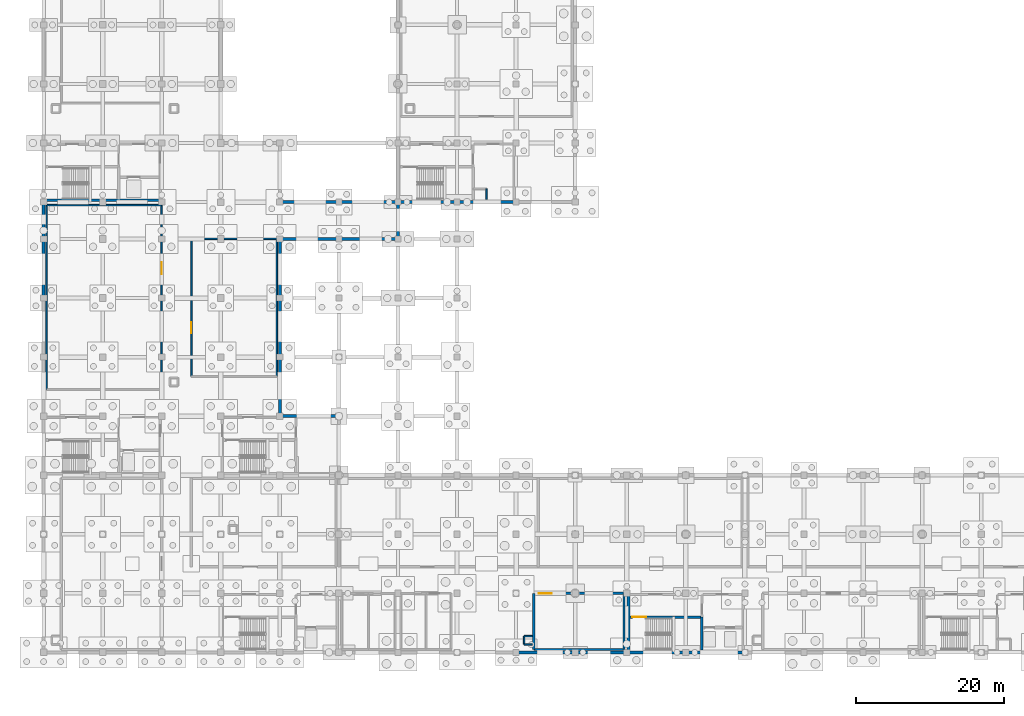
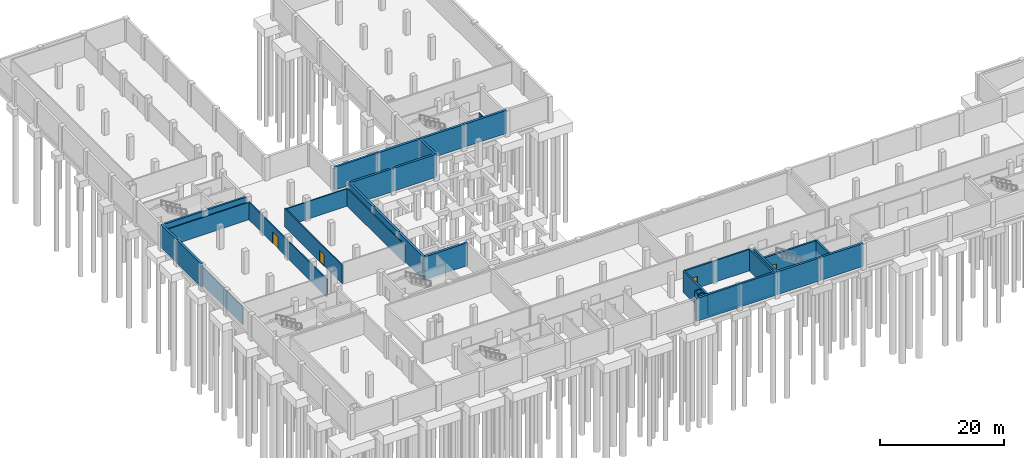
# One storey, part 14 of 26: 35 walls, 4 doors, 4 openings.
"""IFC4 building model written with IfcOpenShell, lengths in metres."""

import ifcopenshell
import ifcopenshell.guid

model = None  # the IFC model being written
_history = None  # IfcOwnerHistory: only IFC2X3 demands one
_inside = {}  # id of a spatial element -> (the spatial element, [elements in it])
_under = {}  # id of a project, library or spatial element -> (it, [spatial elements below it])
_declared = {}  # id of a project -> (the project, [libraries it declares])
_typed = {}  # id of a type object -> (the type object, [elements of that type])
_made_of = {}  # id of a material, layer set ... -> (it, [elements and type objects made of it])


def new_model(schema):
    """Start an empty IFC model of exactly this schema.

    Asked for "IFC4X3", IfcOpenShell would pick the latest addendum, in which some entities
    have other attributes; the version numbers below select the first issue.
    IFC2X3 requires an IfcOwnerHistory on every rooted entity: one is made here for all.
    """
    global model, _history
    if schema == "IFC4X3":
        model = ifcopenshell.file(schema_version=(4, 3, 0, 0))
    else:
        model = ifcopenshell.file(schema=schema)
    _inside.clear()
    _under.clear()
    _declared.clear()
    _typed.clear()
    _made_of.clear()
    _history = None
    if model.schema == "IFC2X3":
        org = make("IfcOrganization", Name="unknown")
        user = make(
            "IfcPersonAndOrganization",
            ThePerson=make("IfcPerson", FamilyName="unknown"),
            TheOrganization=org,
        )
        app = make(
            "IfcApplication",
            ApplicationDeveloper=org,
            Version="unknown",
            ApplicationFullName="unknown",
            ApplicationIdentifier="unknown",
        )
        _history = make(
            "IfcOwnerHistory",
            OwningUser=user,
            OwningApplication=app,
            ChangeAction="ADDED",
            CreationDate=0,
        )
    return model


def make(cls, **values):
    """One entity of the class cls with the attributes given. An attribute that is None is left unset."""
    return model.create_entity(
        cls, **{name: value for name, value in values.items() if value is not None}
    )


def rooted(cls, **values):
    """An entity with a GlobalId (a new one), such as an element, a storey or a relation."""
    return make(cls, GlobalId=ifcopenshell.guid.new(), OwnerHistory=_history, **values)


def si_unit(unit_type, name, prefix=None):
    """IfcSIUnit, for example si_unit("LENGTHUNIT", "METRE", prefix="MILLI")."""
    return make("IfcSIUnit", UnitType=unit_type, Prefix=prefix, Name=name)


def assignment(units):
    """IfcUnitAssignment: the units of a project."""
    return None if units is None else make("IfcUnitAssignment", Units=units)


def point(xyz):
    """IfcCartesianPoint."""
    return None if xyz is None else make("IfcCartesianPoint", Coordinates=xyz)


def direction(xyz):
    """IfcDirection."""
    return None if xyz is None else make("IfcDirection", DirectionRatios=xyz)


def frame(location, z_axis=None, x_axis=None):
    """IfcAxis2Placement3D, a coordinate frame: its origin and axes. An axis left out is left unset."""
    return make(
        "IfcAxis2Placement3D",
        Location=point(location),
        Axis=direction(z_axis),
        RefDirection=direction(x_axis),
    )


def frame_2d(location, x_axis=None):
    """IfcAxis2Placement2D, a coordinate frame in the plane: its origin and x axis."""
    return make(
        "IfcAxis2Placement2D", Location=point(location), RefDirection=direction(x_axis)
    )


def origin():
    """The frame at (0, 0, 0) with its axes left unset."""
    return frame((0.0, 0.0, 0.0))


def place(relative_to, where):
    """IfcLocalPlacement: puts the frame where relative to a parent placement (None: the world)."""
    return make(
        "IfcLocalPlacement", PlacementRelTo=relative_to, RelativePlacement=where
    )


def context(
    kind, dimensions, precision=None, world=None, true_north=None, identifier=None
):
    """IfcGeometricRepresentationContext, for example the 3D "Model" context."""
    return make(
        "IfcGeometricRepresentationContext",
        ContextIdentifier=identifier,
        ContextType=kind,
        CoordinateSpaceDimension=dimensions,
        Precision=precision,
        WorldCoordinateSystem=world,
        TrueNorth=true_north,
    )


def subcontext(parent, identifier, kind, view, scale=None):
    """IfcGeometricRepresentationSubContext, for example "Body" below "Model"."""
    return make(
        "IfcGeometricRepresentationSubContext",
        ContextIdentifier=identifier,
        ContextType=kind,
        ParentContext=parent,
        TargetScale=scale,
        TargetView=view,
    )


def project(units=None, contexts=None):
    """IfcProject with its units and contexts."""
    return rooted(
        "IfcProject",
        Name="project",
        RepresentationContexts=contexts,
        UnitsInContext=assignment(units),
    )


def spatial(cls, under=None, at=None, **own):
    """A site, building, storey or space (cls), placed at a placement, below another one or the project."""
    s = rooted(cls, ObjectPlacement=at, **own)
    if under is not None:
        _under.setdefault(under.id(), (under, []))[1].append(s)
    return s


def profile(cls, at=None, kind="AREA", **sizes):
    """A parametric profile (cls). Its sizes go by their IFC names, for example OverallWidth=200.0."""
    return make(cls, ProfileType=kind, Position=at, **sizes)


def rectangle(**sizes):
    """IfcRectangleProfileDef."""
    return profile("IfcRectangleProfileDef", **sizes)


def extrude(swept, where, along, depth):
    """IfcExtrudedAreaSolid: the profile swept, set in the frame where, extruded along a direction by depth."""
    return make(
        "IfcExtrudedAreaSolid",
        SweptArea=swept,
        Position=where,
        ExtrudedDirection=direction(along),
        Depth=depth,
    )


def shape(context_of_items, identifier, shape_type, items):
    """IfcShapeRepresentation: the items that make up one representation, for example the "Body"."""
    return make(
        "IfcShapeRepresentation",
        ContextOfItems=context_of_items,
        RepresentationIdentifier=identifier,
        RepresentationType=shape_type,
        Items=items,
    )


def material(Name=None, Category=None):
    """IfcMaterial."""
    return make("IfcMaterial", Name=Name, Category=Category)


def layer(
    of_material, thickness, ventilated=None, Name=None, Category=None, Priority=None
):
    """IfcMaterialLayer: one layer of a wall or slab, of a material (None: an air gap)."""
    return make(
        "IfcMaterialLayer",
        Material=of_material,
        LayerThickness=thickness,
        IsVentilated=ventilated,
        Name=Name,
        Category=Category,
        Priority=Priority,
    )


def layer_set(layers, Name=None):
    """IfcMaterialLayerSet."""
    return make("IfcMaterialLayerSet", MaterialLayers=layers, LayerSetName=Name)


def made_of(thing, what):
    """Note that an element or type object is made of a material, layer set ...; save() writes the relation."""
    if what is not None:
        _made_of.setdefault(what.id(), (what, []))[1].append(thing)
    return thing


def type_object(cls, material=None, **own):
    """A type object (cls), such as IfcWallType, which elements share."""
    return made_of(rooted(cls, **own), material)


def element(
    cls,
    number,
    at=None,
    inside=None,
    cuts=None,
    type_object=None,
    material=None,
    context=None,
    identifier="Body",
    shape_type=None,
    held_by="IfcProductDefinitionShape",
    body=None,
    shapes=None,
    **own,
):
    """One element of the class cls, such as IfcWall. Its Tag is "e" and its number.

    at: its placement. inside: the storey or other place that contains it. cuts: it is an
    opening in that element (IfcRelVoidsElement). A single representation is given by context,
    identifier, shape_type and body (its items); several are given by shapes. held_by: the class
    of the entity that holds the representations. save() writes the other relations.
    """
    e = rooted(cls, Tag="e%d" % number, ObjectPlacement=at, **own)
    if body is not None:
        shapes = [shape(context, identifier, shape_type, body)]
    if shapes is not None:
        e.Representation = make(held_by, Representations=shapes)
    if inside is not None:
        _inside.setdefault(inside.id(), (inside, []))[1].append(e)
    if cuts is not None:
        rooted(
            "IfcRelVoidsElement", RelatingBuildingElement=cuts, RelatedOpeningElement=e
        )
    if type_object is not None:
        _typed.setdefault(type_object.id(), (type_object, []))[1].append(e)
    return made_of(e, material)


def fill(opening, filler):
    """IfcRelFillsElement: the door or window that sits in an opening."""
    return rooted(
        "IfcRelFillsElement",
        RelatingOpeningElement=opening,
        RelatedBuildingElement=filler,
    )


def aggregate(whole, parts):
    """IfcRelAggregates: a whole, such as a stair, and the parts it consists of."""
    return rooted("IfcRelAggregates", RelatingObject=whole, RelatedObjects=parts)


def save(model, path):
    """Write the relations noted so far, then the file.

    IfcRelAggregates (storeys below a building ...), IfcRelContainedInSpatialStructure (elements
    in a storey), IfcRelDefinesByType, IfcRelAssociatesMaterial and IfcRelDeclares: one each for
    every whole, place, type object, material and project.
    """
    for whole, parts in _under.values():
        aggregate(whole, parts)
    for where, things in _inside.values():
        rooted(
            "IfcRelContainedInSpatialStructure",
            RelatedElements=things,
            RelatingStructure=where,
        )
    for kind, things in _typed.values():
        rooted("IfcRelDefinesByType", RelatedObjects=things, RelatingType=kind)
    for what, things in _made_of.values():
        rooted("IfcRelAssociatesMaterial", RelatedObjects=things, RelatingMaterial=what)
    for by, libraries in _declared.values():
        rooted("IfcRelDeclares", RelatingContext=by, RelatedDefinitions=libraries)
    model.write(path)


model = new_model("IFC4")

# Units and contexts
model_context = context("Model", 3, precision=1e-05, world=origin(), true_north=direction((0.0, 1.0)))
body_context = subcontext(model_context, "Body", "Model", "MODEL_VIEW")
ifc_project = project(units=[si_unit("LENGTHUNIT", "METRE"), si_unit("AREAUNIT", "SQUARE_METRE"), si_unit("VOLUMEUNIT", "CUBIC_METRE"), si_unit("PLANEANGLEUNIT", "RADIAN"), si_unit("MASSUNIT", "GRAM", prefix="KILO")], contexts=[model_context])

# Site, building, storey
site_placement = place(None, origin())
site = spatial("IfcSite", under=ifc_project, at=site_placement, CompositionType="ELEMENT")
building_placement = place(site_placement, origin())
building = spatial("IfcBuilding", under=site, at=building_placement, Name="Qorikala Patio Media Centre", CompositionType="ELEMENT")
storey_placement = place(building_placement, frame((0.0, 0.0, -4.5)))
storey = spatial("IfcBuildingStorey", under=building, at=storey_placement, Name="B1", CompositionType="ELEMENT", Elevation=-4.5)

# Walls
ifc_material_1 = material(Name="Concrete C35/45", Category="concrete")
ifc_layer_1 = layer(ifc_material_1, 0.300048828125)
ifc_layer_set_1 = layer_set([ifc_layer_1], Name="Concrete C35/45")
wall_type_1 = type_object("IfcWallType", Name="WL-AC-300", PredefinedType="SHEAR", material=ifc_layer_set_1)
wall_1_placement = place(storey_placement, frame((69.39990234375, 3.39990234375, 0.0), z_axis=(0.0, 0.0, 1.0), x_axis=(1.0, 0.0, 0.0)))
element("IfcWall", 1, at=wall_1_placement, inside=storey, type_object=wall_type_1, Name="B1 Interior Wall WINT-B1-SUB1-S", PredefinedType="SHEAR", context=body_context, shape_type="SweptSolid", body=[
    extrude(rectangle(XDim=12.2001953125, YDim=0.300048828125, at=frame_2d((6.10009765625, 0.0))), origin(), (0.0, 0.0, 1.0), 4.199951171875),
])
wall_2_placement = place(storey_placement, frame((81.60009765625, 3.39990234375, 0.0), z_axis=(0.0, 0.0, 1.0), x_axis=(0.0, 1.0, 0.0)))
element("IfcWall", 2, at=wall_2_placement, inside=storey, type_object=wall_type_1, Name="B1 Interior Wall WINT-B1-SUB1-E", PredefinedType="SHEAR", context=body_context, shape_type="SweptSolid", body=[
    extrude(rectangle(XDim=7.60009765625, YDim=0.300048828125, at=frame_2d((3.800048828125, 0.0))), origin(), (0.0, 0.0, 1.0), 4.199951171875),
])

# Wall, opening, door
wall_3_placement = place(storey_placement, frame((69.39990234375, 11.0, 0.0), z_axis=(0.0, 0.0, 1.0), x_axis=(1.0, 0.0, 0.0)))
wall_3 = element("IfcWall", 3, at=wall_3_placement, inside=storey, type_object=wall_type_1, Name="B1 Interior Wall WINT-B1-SUB1-N", PredefinedType="SHEAR", context=body_context, shape_type="SweptSolid", body=[
    extrude(rectangle(XDim=12.2001953125, YDim=0.300048828125, at=frame_2d((6.10009765625, 0.0))), origin(), (0.0, 0.0, 1.0), 4.199951171875),
])
opening_1_placement = place(wall_3_placement, frame((0.700927734375, 0.0, 0.0)))
opening_1 = element("IfcOpeningElement", 4, at=opening_1_placement, cuts=wall_3, Name="Opening D220", PredefinedType="OPENING", context=body_context, shape_type="SweptSolid", body=[
    extrude(rectangle(XDim=1.75, YDim=2.280029296875, at=frame_2d((0.875, 1.14013671875))), frame((0.0, 0.159912109375, 0.0), z_axis=(0.0, -1.0, 0.0), x_axis=(1.0, 0.0, 0.0)), (0.0, 0.0, 1.0), 0.320068359375),
])
ifc_material_2 = material(Name="Powder-Coated Acoustic Fire Steel", Category="steel")
door_type_1 = type_object("IfcDoorType", Name="DR-FD60-175X228", OperationType="DOUBLE_DOOR_SINGLE_SWING", PredefinedType="DOOR", material=ifc_material_2)
door_1_placement = place(opening_1_placement, origin())
door_1 = element("IfcDoor", 5, at=door_1_placement, inside=storey, type_object=door_type_1, Name="Medium Voltage Substation and UPS Plant Door 009", OperationType="DOUBLE_DOOR_SINGLE_SWING", OverallHeight=2.280029296875, OverallWidth=1.75, PredefinedType="DOOR", context=body_context, shape_type="SweptSolid", body=[
    extrude(rectangle(XDim=1.75, YDim=2.280029296875, at=frame_2d((0.875, 1.14013671875))), frame((0.0, 0.02490234375, 0.0), z_axis=(0.0, -1.0, 0.0), x_axis=(1.0, 0.0, 0.0)), (0.0, 0.0, 1.0), 0.050048828125),
])
fill(opening_1, door_1)

# Walls
wall_4_placement = place(storey_placement, frame((69.39990234375, 3.39990234375, 0.0), z_axis=(0.0, 0.0, 1.0), x_axis=(0.0, 1.0, 0.0)))
element("IfcWall", 6, at=wall_4_placement, inside=storey, type_object=wall_type_1, Name="B1 Interior Wall WINT-B1-SUB1-W", PredefinedType="SHEAR", context=body_context, shape_type="SweptSolid", body=[
    extrude(rectangle(XDim=7.60009765625, YDim=0.300048828125, at=frame_2d((3.800048828125, 0.0))), origin(), (0.0, 0.0, 1.0), 4.199951171875),
])
ifc_layer_2 = layer(ifc_material_1, 0.35009765625)
ifc_layer_set_2 = layer_set([ifc_layer_2], Name="Concrete C35/45")
wall_type_2 = type_object("IfcWallType", Name="WL-CORE-350", PredefinedType="SHEAR", material=ifc_layer_set_2)
wall_5_placement = place(storey_placement, frame((3.199951171875, 64.22509765625, 0.0), z_axis=(0.0, 0.0, 1.0), x_axis=(1.0, 0.0, 0.0)))
element("IfcWall", 7, at=wall_5_placement, inside=storey, type_object=wall_type_2, Name="B1 Core C3 Stair South Wall", PredefinedType="SHEAR", context=body_context, shape_type="SweptSolid", body=[
    extrude(rectangle(XDim=15.60009765625, YDim=0.35009765625, at=frame_2d((7.800048828125, 0.0))), origin(), (0.0, 0.0, 1.0), 4.199951171875),
])
wall_6_placement = place(storey_placement, frame((82.22509765625, 3.199951171875, 0.0), z_axis=(0.0, 0.0, 1.0), x_axis=(0.0, 1.0, 0.0)))
element("IfcWall", 8, at=wall_6_placement, inside=storey, type_object=wall_type_2, Name="B1 Interior Wall CW-B1-C4-SW", PredefinedType="SHEAR", context=body_context, shape_type="SweptSolid", body=[
    extrude(rectangle(XDim=7.60009765625, YDim=0.35009765625, at=frame_2d((3.800048828125, 0.0))), origin(), (0.0, 0.0, 1.0), 4.199951171875),
])
wall_7_placement = place(storey_placement, frame((92.175048828125, 3.35009765625, 0.0), z_axis=(0.0, 0.0, 1.0), x_axis=(0.0, 1.0, 0.0)))
element("IfcWall", 9, at=wall_7_placement, inside=storey, type_object=wall_type_2, Name="B1 Interior Wall CW-B1-C4-SE", PredefinedType="SHEAR", context=body_context, shape_type="SweptSolid", body=[
    extrude(rectangle(XDim=4.4248046875, YDim=0.35009765625, at=frame_2d((2.21240234375, 0.0))), origin(), (0.0, 0.0, 1.0), 4.199951171875),
])

# Wall, opening, door
wall_8_placement = place(storey_placement, frame((82.35009765625, 7.77490234375, 0.0), z_axis=(0.0, 0.0, 1.0), x_axis=(1.0, 0.0, 0.0)))
wall_8 = element("IfcWall", 10, at=wall_8_placement, inside=storey, type_object=wall_type_2, Name="B1 Interior Wall CW-B1-C4-SN", PredefinedType="SHEAR", context=body_context, shape_type="SweptSolid", body=[
    extrude(rectangle(XDim=9.824951171875, YDim=0.35009765625, at=frame_2d((4.91259765625, 0.0))), origin(), (0.0, 0.0, 1.0), 4.199951171875),
])
opening_2_placement = place(wall_8_placement, frame((0.39990234375, 0.0, 0.0)))
opening_2 = element("IfcOpeningElement", 11, at=opening_2_placement, cuts=wall_8, Name="Opening D119", PredefinedType="OPENING", context=body_context, shape_type="SweptSolid", body=[
    extrude(rectangle(XDim=1.85009765625, YDim=2.25, at=frame_2d((0.925048828125, 1.125))), frame((0.0, 0.18505859375, 0.0), z_axis=(0.0, -1.0, 0.0), x_axis=(1.0, 0.0, 0.0)), (0.0, 0.0, 1.0), 0.3701171875),
])
door_type_2 = type_object("IfcDoorType", Name="DR-FD60-185X225", OperationType="DOUBLE_DOOR_SINGLE_SWING", PredefinedType="DOOR", material=ifc_material_2)
door_2_placement = place(opening_2_placement, origin())
door_2 = element("IfcDoor", 12, at=door_2_placement, inside=storey, type_object=door_type_2, Name="B1 Stair ST-4 Fire Door", OperationType="DOUBLE_DOOR_SINGLE_SWING", OverallHeight=2.25, OverallWidth=1.85009765625, PredefinedType="DOOR", context=body_context, shape_type="SweptSolid", body=[
    extrude(rectangle(XDim=1.85009765625, YDim=2.25, at=frame_2d((0.925048828125, 1.125))), frame((0.0, 0.02490234375, 0.0), z_axis=(0.0, -1.0, 0.0), x_axis=(1.0, 0.0, 0.0)), (0.0, 0.0, 1.0), 0.050048828125),
])
fill(opening_2, door_2)

# Walls
ifc_material_3 = material(Name="Concrete C30/37", Category="concrete")
ifc_layer_3 = layer(ifc_material_3, 0.419921875)
ifc_layer_set_3 = layer_set([ifc_layer_3], Name="Concrete C30/37")
wall_type_3 = type_object("IfcWallType", Name="WL-RET-420", PredefinedType="USERDEFINED", material=ifc_layer_set_3)
for number, where, z_axis, x_axis, name in (
    (13, (98.0, 3.0, 0.0), (0.0, 0.0, 1.0), (-1.0, 0.0, 0.0), "B1 Perimeter Retaining Wall WL-B1-RET-024"),
    (14, (90.0, 3.0, 0.0), (0.0, 0.0, 1.0), (-1.0, 0.0, 0.0), "B1 Perimeter Retaining Wall WL-B1-RET-025"),
):
    element("IfcWall", number, at=place(storey_placement, frame(where, z_axis=z_axis, x_axis=x_axis)), inside=storey, type_object=wall_type_3, Name=name, ObjectType="RETAINING WALL", PredefinedType="USERDEFINED", context=body_context, shape_type="SweptSolid", body=[
        extrude(rectangle(XDim=8.0, YDim=0.419921875, at=frame_2d((4.0, 0.0))), origin(), (0.0, 0.0, 1.0), 4.5),
    ])
wall_9_placement = place(storey_placement, frame((82.0, 3.0, 0.0), z_axis=(0.0, 0.0, 1.0), x_axis=(-1.0, 0.0, 0.0)))
element("IfcWall", 15, at=wall_9_placement, inside=storey, type_object=wall_type_3, Name="B1 Perimeter Retaining Wall WL-B1-RET-026", ObjectType="RETAINING WALL", PredefinedType="USERDEFINED", context=body_context, shape_type="SweptSolid", body=[
    extrude(rectangle(XDim=7.0, YDim=0.419921875, at=frame_2d((3.5, 0.0))), origin(), (0.0, 0.0, 1.0), 4.5),
])
for number, where, z_axis, x_axis, name in (
    (16, (75.0, 3.0, 0.0), (0.0, 0.0, 1.0), (-1.0, 0.0, 0.0), "B1 Perimeter Retaining Wall WL-B1-RET-027"),
    (17, (3.0, 51.0, 0.0), (0.0, 0.0, 1.0), (0.0, 1.0, 0.0), "B1 Perimeter Retaining Wall WL-B1-RET-042"),
):
    element("IfcWall", number, at=place(storey_placement, frame(where, z_axis=z_axis, x_axis=x_axis)), inside=storey, type_object=wall_type_3, Name=name, ObjectType="RETAINING WALL", PredefinedType="USERDEFINED", context=body_context, shape_type="SweptSolid", body=[
        extrude(rectangle(XDim=8.0, YDim=0.419921875, at=frame_2d((4.0, 0.0))), origin(), (0.0, 0.0, 1.0), 4.5),
    ])
wall_10_placement = place(storey_placement, frame((3.0, 59.0, 0.0), z_axis=(0.0, 0.0, 1.0), x_axis=(0.0, 1.0, 0.0)))
element("IfcWall", 18, at=wall_10_placement, inside=storey, type_object=wall_type_3, Name="B1 Perimeter Retaining Wall WL-B1-RET-043", ObjectType="RETAINING WALL", PredefinedType="USERDEFINED", context=body_context, shape_type="SweptSolid", body=[
    extrude(rectangle(XDim=5.0, YDim=0.419921875, at=frame_2d((2.5, 0.0))), origin(), (0.0, 0.0, 1.0), 4.5),
])
for number, where, z_axis, x_axis, name in (
    (19, (35.0, 64.0, 0.0), (0.0, 0.0, 1.0), (1.0, 0.0, 0.0), "B1 Perimeter Retaining Wall WL-B1-RET-062"),
    (20, (43.0, 64.0, 0.0), (0.0, 0.0, 1.0), (1.0, 0.0, 0.0), "B1 Perimeter Retaining Wall WL-B1-RET-063"),
):
    element("IfcWall", number, at=place(storey_placement, frame(where, z_axis=z_axis, x_axis=x_axis)), inside=storey, type_object=wall_type_3, Name=name, ObjectType="RETAINING WALL", PredefinedType="USERDEFINED", context=body_context, shape_type="SweptSolid", body=[
        extrude(rectangle(XDim=8.0, YDim=0.419921875, at=frame_2d((4.0, 0.0))), origin(), (0.0, 0.0, 1.0), 4.5),
    ])
wall_11_placement = place(storey_placement, frame((51.0, 64.0, 0.0), z_axis=(0.0, 0.0, 1.0), x_axis=(0.0, -1.0, 0.0)))
element("IfcWall", 21, at=wall_11_placement, inside=storey, type_object=wall_type_3, Name="B1 Perimeter Retaining Wall WL-B1-RET-064", ObjectType="RETAINING WALL", PredefinedType="USERDEFINED", context=body_context, shape_type="SweptSolid", body=[
    extrude(rectangle(XDim=5.0, YDim=0.419921875, at=frame_2d((2.5, 0.0))), origin(), (0.0, 0.0, 1.0), 4.5),
])
for number, where, z_axis, x_axis, name in (
    (22, (51.0, 59.0, 0.0), (0.0, 0.0, 1.0), (-1.0, 0.0, 0.0), "B1 Perimeter Retaining Wall WL-B1-RET-065"),
    (23, (43.0, 59.0, 0.0), (0.0, 0.0, 1.0), (-1.0, 0.0, 0.0), "B1 Perimeter Retaining Wall WL-B1-RET-066"),
    (24, (35.0, 59.0, 0.0), (0.0, 0.0, 1.0), (0.0, -1.0, 0.0), "B1 Perimeter Retaining Wall WL-B1-RET-067"),
    (25, (35.0, 51.0, 0.0), (0.0, 0.0, 1.0), (0.0, -1.0, 0.0), "B1 Perimeter Retaining Wall WL-B1-RET-068"),
    (26, (35.0, 43.0, 0.0), (0.0, 0.0, 1.0), (0.0, -1.0, 0.0), "B1 Perimeter Retaining Wall WL-B1-RET-069"),
    (27, (35.0, 35.0, 0.0), (0.0, 0.0, 1.0), (1.0, 0.0, 0.0), "B1 Perimeter Retaining Wall WL-B1-RET-070"),
    (28, (67.0, 64.0, 0.0), (0.0, 0.0, 1.0), (-1.0, 0.0, 0.0), "B1 Perimeter Retaining Wall WL-B1-RET-080"),
    (29, (59.0, 64.0, 0.0), (0.0, 0.0, 1.0), (-1.0, 0.0, 0.0), "B1 Perimeter Retaining Wall WL-B1-RET-081"),
):
    element("IfcWall", number, at=place(storey_placement, frame(where, z_axis=z_axis, x_axis=x_axis)), inside=storey, type_object=wall_type_3, Name=name, ObjectType="RETAINING WALL", PredefinedType="USERDEFINED", context=body_context, shape_type="SweptSolid", body=[
        extrude(rectangle(XDim=8.0, YDim=0.419921875, at=frame_2d((4.0, 0.0))), origin(), (0.0, 0.0, 1.0), 4.5),
    ])
ifc_material_4 = material(Name="Acoustic Masonry and Plaster Concrete C30/37", Category="masonry")
ifc_layer_4 = layer(ifc_material_4, 0.199951171875)
ifc_layer_set_4 = layer_set([ifc_layer_4], Name="Acoustic Masonry and Plaster Concrete C30/37")
wall_type_4 = type_object("IfcWallType", Name="WL-ST-200", PredefinedType="PARTITIONING", material=ifc_layer_set_4)
wall_12_placement = place(storey_placement, frame((63.0, 64.35009765625, 0.0), z_axis=(0.0, 0.0, 1.0), x_axis=(0.0, 1.0, 0.0)))
element("IfcWall", 30, at=wall_12_placement, inside=storey, type_object=wall_type_4, Name="B1 Interior Wall CW-B1-C6-RSE", PredefinedType="PARTITIONING", context=body_context, shape_type="SweptSolid", body=[
    extrude(rectangle(XDim=1.449951171875, YDim=0.199951171875, at=frame_2d((0.72509765625, 0.0))), origin(), (0.0, 0.0, 1.0), 4.199951171875),
])

# Wall, opening, door
wall_13_placement = place(storey_placement, frame((19.0, 38.60009765625, 0.0), z_axis=(0.0, 0.0, 1.0), x_axis=(0.0, 1.0, 0.0)))
wall_13 = element("IfcWall", 31, at=wall_13_placement, inside=storey, type_object=wall_type_4, Name="B1 Interior Wall WINT-B1-STR1-E", PredefinedType="PARTITIONING", context=body_context, shape_type="SweptSolid", body=[
    extrude(rectangle(XDim=25.0, YDim=0.199951171875, at=frame_2d((12.5, 0.0))), origin(), (0.0, 0.0, 1.0), 3.485107421875),
])
opening_3_placement = place(wall_13_placement, frame((15.60107421875, 0.0, 0.0)))
opening_3 = element("IfcOpeningElement", 32, at=opening_3_placement, cuts=wall_13, Name="Opening D221", PredefinedType="OPENING", context=body_context, shape_type="SweptSolid", body=[
    extrude(rectangle(XDim=1.64990234375, YDim=2.25, at=frame_2d((0.824951171875, 1.125))), frame((0.0, 0.10986328125, 0.0), z_axis=(0.0, -1.0, 0.0), x_axis=(1.0, 0.0, 0.0)), (0.0, 0.0, 1.0), 0.219970703125),
])
door_type_3 = type_object("IfcDoorType", Name="DR-FD60-165X225", OperationType="DOUBLE_DOOR_SINGLE_SWING", PredefinedType="DOOR", material=ifc_material_2)
door_3_placement = place(opening_3_placement, origin())
door_3 = element("IfcDoor", 33, at=door_3_placement, inside=storey, type_object=door_type_3, Name="Cinema Projection Technical Store Door 010", OperationType="DOUBLE_DOOR_SINGLE_SWING", OverallHeight=2.25, OverallWidth=1.64990234375, PredefinedType="DOOR", context=body_context, shape_type="SweptSolid", body=[
    extrude(rectangle(XDim=1.64990234375, YDim=2.25, at=frame_2d((0.824951171875, 1.125))), frame((0.0, 0.02490234375, 0.0), z_axis=(0.0, -1.0, 0.0), x_axis=(1.0, 0.0, 0.0)), (0.0, 0.0, 1.0), 0.050048828125),
])
fill(opening_3, door_3)

# Walls
wall_14_placement = place(storey_placement, frame((3.39990234375, 63.60009765625, 0.0), z_axis=(0.0, 0.0, 1.0), x_axis=(1.0, 0.0, 0.0)))
element("IfcWall", 34, at=wall_14_placement, inside=storey, type_object=wall_type_4, Name="B1 Interior Wall WINT-B1-STR1-N", PredefinedType="PARTITIONING", context=body_context, shape_type="SweptSolid", body=[
    extrude(rectangle(XDim=15.60009765625, YDim=0.199951171875, at=frame_2d((7.800048828125, 0.0))), origin(), (0.0, 0.0, 1.0), 3.43505859375),
])
wall_15_placement = place(storey_placement, frame((3.39990234375, 38.60009765625, 0.0), z_axis=(0.0, 0.0, 1.0), x_axis=(0.0, 1.0, 0.0)))
element("IfcWall", 35, at=wall_15_placement, inside=storey, type_object=wall_type_4, Name="B1 Interior Wall WINT-B1-STR1-W", PredefinedType="PARTITIONING", context=body_context, shape_type="SweptSolid", body=[
    extrude(rectangle(XDim=25.0, YDim=0.199951171875, at=frame_2d((12.5, 0.0))), origin(), (0.0, 0.0, 1.0), 3.5048828125),
])
wall_16_placement = place(storey_placement, frame((34.60009765625, 40.39990234375, 0.0), z_axis=(0.0, 0.0, 1.0), x_axis=(0.0, 1.0, 0.0)))
element("IfcWall", 36, at=wall_16_placement, inside=storey, type_object=wall_type_4, Name="B1 Interior Wall WINT-B1-STR2-E", PredefinedType="PARTITIONING", context=body_context, shape_type="SweptSolid", body=[
    extrude(rectangle(XDim=18.60009765625, YDim=0.199951171875, at=frame_2d((9.300048828125, 0.0))), origin(), (0.0, 0.0, 1.0), 3.5048828125),
])
wall_17_placement = place(storey_placement, frame((23.0, 59.0, 0.0), z_axis=(0.0, 0.0, 1.0), x_axis=(1.0, 0.0, 0.0)))
element("IfcWall", 37, at=wall_17_placement, inside=storey, type_object=wall_type_4, Name="B1 Interior Wall WINT-B1-STR2-N", PredefinedType="PARTITIONING", context=body_context, shape_type="SweptSolid", body=[
    extrude(rectangle(XDim=11.60009765625, YDim=0.199951171875, at=frame_2d((5.800048828125, 0.0))), origin(), (0.0, 0.0, 1.0), 3.43505859375),
])

# Wall, opening, door
wall_18_placement = place(storey_placement, frame((23.0, 40.39990234375, 0.0), z_axis=(0.0, 0.0, 1.0), x_axis=(0.0, 1.0, 0.0)))
wall_18 = element("IfcWall", 38, at=wall_18_placement, inside=storey, type_object=wall_type_4, Name="B1 Interior Wall WINT-B1-STR2-W", PredefinedType="PARTITIONING", context=body_context, shape_type="SweptSolid", body=[
    extrude(rectangle(XDim=18.60009765625, YDim=0.199951171875, at=frame_2d((9.300048828125, 0.0))), origin(), (0.0, 0.0, 1.0), 3.635009765625),
])
opening_4_placement = place(wall_18_placement, frame((5.823974609375, 0.0, 0.0)))
opening_4 = element("IfcOpeningElement", 39, at=opening_4_placement, cuts=wall_18, Name="Opening D222", PredefinedType="OPENING", context=body_context, shape_type="SweptSolid", body=[
    extrude(rectangle(XDim=1.5, YDim=2.199951171875, at=frame_2d((0.75, 1.10009765625))), frame((0.0, 0.10986328125, 0.0), z_axis=(0.0, -1.0, 0.0), x_axis=(1.0, 0.0, 0.0)), (0.0, 0.0, 1.0), 0.219970703125),
])
door_type_4 = type_object("IfcDoorType", Name="DR-FD60-150X220", OperationType="DOUBLE_DOOR_SINGLE_SWING", PredefinedType="DOOR", material=ifc_material_2)
door_4_placement = place(opening_4_placement, origin())
door_4 = element("IfcDoor", 40, at=door_4_placement, inside=storey, type_object=door_type_4, Name="Broadcast Scenery and Rigging Store Door 011", OperationType="DOUBLE_DOOR_SINGLE_SWING", OverallHeight=2.199951171875, OverallWidth=1.5, PredefinedType="DOOR", context=body_context, shape_type="SweptSolid", body=[
    extrude(rectangle(XDim=1.5, YDim=2.199951171875, at=frame_2d((0.75, 1.10009765625))), frame((0.0, 0.02490234375, 0.0), z_axis=(0.0, -1.0, 0.0), x_axis=(1.0, 0.0, 0.0)), (0.0, 0.0, 1.0), 0.050048828125),
])
fill(opening_4, door_4)

# Walls
for number, where, z_axis, x_axis, name in (
    (41, (68.10009765625, 4.10009765625, 0.0), (0.0, 0.0, 1.0), (1.0, 0.0, 0.0), "B1 Interior Wall RSW-2-B1-S"),
    (42, (68.10009765625, 5.199951171875, 0.0), (0.0, 0.0, 1.0), (1.0, 0.0, 0.0), "B1 Interior Wall RSW-2-B1-N"),
    (43, (68.10009765625, 4.10009765625, 0.0), (0.0, 0.0, 1.0), (0.0, 1.0, 0.0), "B1 Interior Wall RSW-2-B1-W"),
):
    element("IfcWall", number, at=place(storey_placement, frame(where, z_axis=z_axis, x_axis=x_axis)), inside=storey, type_object=wall_type_4, Name=name, PredefinedType="PARTITIONING", context=body_context, shape_type="SweptSolid", body=[
        extrude(rectangle(XDim=1.099853515625, YDim=0.199951171875, at=frame_2d((0.5498046875, 0.0))), origin(), (0.0, 0.0, 1.0), 4.199951171875),
    ])

save(model, "model.ifc")
